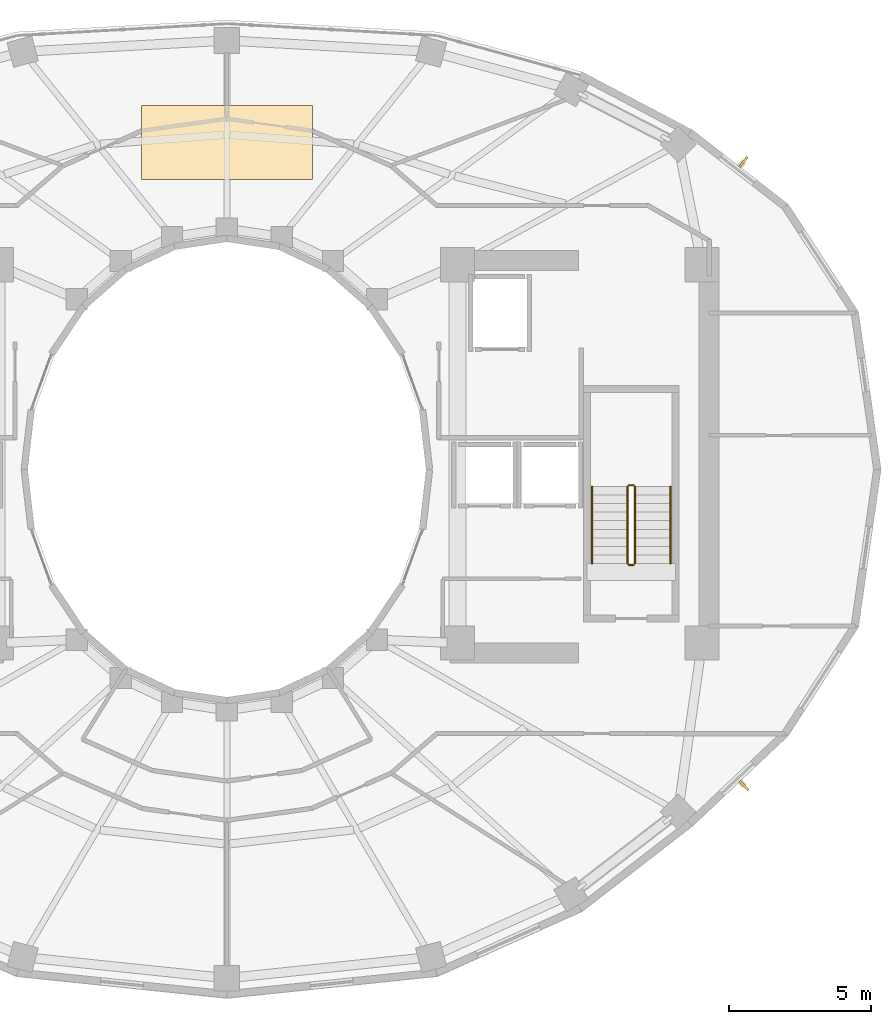
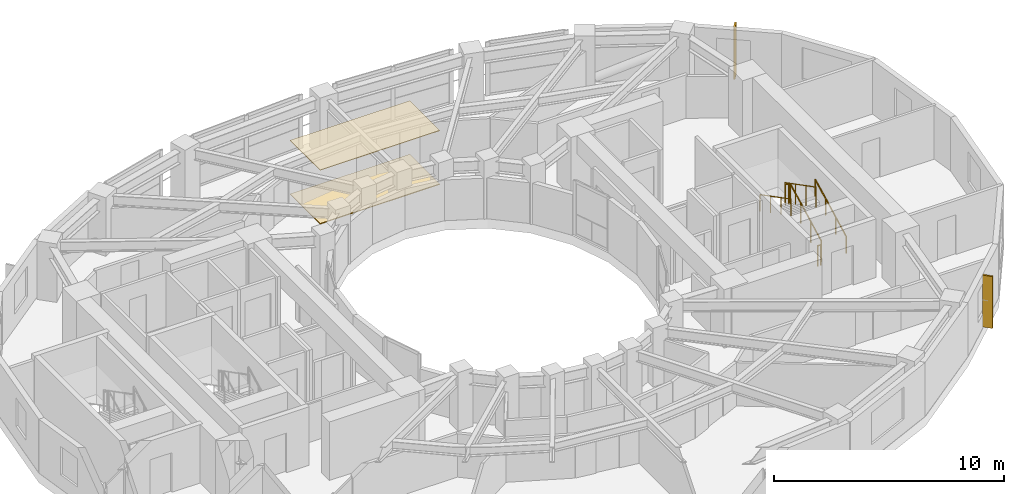
# One storey, part 19 of 20: 6 railings, 2 coverings, 2 shading devices.
"""IFC4 building model written with IfcOpenShell, lengths in metres."""

from ifc_helpers import new_model, si_unit, direction, frame, origin, origin_2d, place, context, subcontext, project, spatial, polyline, rectangle, circle, outline, extrude, material, layer, layer_set, type_object, element, save


model = new_model("IFC4")

# Units and contexts
model_context = context("Model", 3, precision=1e-05, world=origin(), true_north=direction((0.0, 1.0)))
body_context = subcontext(model_context, "Body", "Model", "MODEL_VIEW")
ifc_project = project(units=[si_unit("LENGTHUNIT", "METRE"), si_unit("AREAUNIT", "SQUARE_METRE"), si_unit("VOLUMEUNIT", "CUBIC_METRE"), si_unit("PLANEANGLEUNIT", "RADIAN"), si_unit("MASSUNIT", "GRAM", prefix="KILO")], contexts=[model_context])

# Site, building, storey
site_placement = place(None, origin())
site = spatial("IfcSite", under=ifc_project, at=site_placement, CompositionType="ELEMENT")
building_placement = place(site_placement, origin())
building = spatial("IfcBuilding", under=site, at=building_placement, Name="Solvane Sanctuary Tower", CompositionType="ELEMENT")
storey_placement = place(building_placement, frame((0.0, 0.0, 137.39990234375)))
storey = spatial("IfcBuildingStorey", under=building, at=storey_placement, Name="L41", CompositionType="ELEMENT", Elevation=137.39990234375)

# Coverings
ifc_material_1 = material(Name="Acoustic Gypsum Partition Board")
ifc_layer_1 = layer(ifc_material_1, 0.02490234375, Name="Acoustic Gypsum Partition Board")
ifc_layer_set_1 = layer_set([ifc_layer_1], Name="Acoustic Gypsum Partition Board")
covering_type_1 = type_object("IfcCoveringType", Name="Covering CLG-ACOUST", PredefinedType="CEILING", material=ifc_layer_set_1)
covering_1_placement = place(storey_placement, frame((0.0, 0.0, 2.85009765625)))
element("IfcCovering", 1, at=covering_1_placement, inside=storey, type_object=covering_type_1, Name="L41 Sky Sanctuary Acoustic Ceiling", PredefinedType="CEILING", context=body_context, shape_type="SweptSolid", body=[
    extrude(outline(polyline([(29.0, 33.199951171875), (35.0, 33.199951171875), (35.0, 35.800048828125), (29.0, 35.800048828125), (29.0, 33.199951171875)])), origin(), (0.0, 0.0, 1.0), 0.030029296875),
])
ifc_material_2 = material(Name="Ceramic Tile Finish")
ifc_layer_2 = layer(ifc_material_2, 0.030029296875, Name="Ceramic Tile Finish")
ifc_layer_set_2 = layer_set([ifc_layer_2], Name="Ceramic Tile Finish")
covering_type_2 = type_object("IfcCoveringType", Name="Covering FLR-TERRAZZO", PredefinedType="FLOORING", material=ifc_layer_set_2)
covering_2_placement = place(storey_placement, origin())
element("IfcCovering", 2, at=covering_2_placement, inside=storey, type_object=covering_type_2, Name="L41 Sky Sanctuary Terrazzo Floor", PredefinedType="FLOORING", context=body_context, shape_type="SweptSolid", body=[
    extrude(outline(polyline([(29.0, 33.199951171875), (35.0, 33.199951171875), (35.0, 35.800048828125), (29.0, 35.800048828125), (29.0, 33.199951171875)])), origin(), (0.0, 0.0, 1.0), 0.0400390625),
])

# Railings
ifc_material_3 = material(Name="Architectural Stainless Steel 316", Category="steel")
railing_type_1 = type_object("IfcRailingType", Name="Railing GR-BALC-1150", PredefinedType="BALUSTRADE", material=ifc_material_3)
railing_1_placement = place(storey_placement, frame((46.340087890625, 19.699951171875, 0.155029296875)))
element("IfcRailing", 3, at=railing_1_placement, inside=storey, type_object=railing_type_1, Name="L41 ST-2 stair guard 1", PredefinedType="BALUSTRADE", context=body_context, shape_type="SweptSolid", body=[
    extrude(circle(Radius=0.02392578125, at=origin_2d()), frame((0.0, 0.0, 1.076171875), z_axis=(0.0, 0.888419900624, 0.459031676658), x_axis=(-1.0, 0.0, 0.0)), (0.0, 0.0, 1.0), 3.0390625),
    extrude(circle(Radius=0.02099609375, at=origin_2d()), origin(), (0.0, 0.0, 1.0), 1.052001953125),
    extrude(circle(Radius=0.02099609375, at=origin_2d()), frame((0.0, 0.89990234375, 0.465087890625)), (0.0, 0.0, 1.0), 1.052001953125),
    extrude(circle(Radius=0.02099609375, at=origin_2d()), frame((0.0, 1.800048828125, 0.929931640625)), (0.0, 0.0, 1.0), 1.052001953125),
    extrude(circle(Radius=0.02099609375, at=origin_2d()), frame((0.0, 2.699951171875, 1.39501953125)), (0.0, 0.0, 1.0), 1.052001953125),
])
railing_2_placement = place(storey_placement, frame((46.2900390625, 22.449951171875, 1.550048828125)))
element("IfcRailing", 4, at=railing_2_placement, inside=storey, type_object=railing_type_1, Name="L41 ST-2 stair guard 2", PredefinedType="BALUSTRADE", context=body_context, shape_type="SweptSolid", body=[
    extrude(circle(Radius=0.02392578125, at=origin_2d()), frame((0.0, 0.0, 1.076171875), z_axis=(-1.0, 0.0, 0.0), x_axis=(0.0, -1.0, 0.0)), (0.0, 0.0, 1.0), 0.16015625),
    extrude(circle(Radius=0.02099609375, at=origin_2d()), origin(), (0.0, 0.0, 1.0), 1.052001953125),
    extrude(circle(Radius=0.02099609375, at=origin_2d()), frame((-0.16015625, 0.0, 0.0)), (0.0, 0.0, 1.0), 1.052001953125),
])
railing_3_placement = place(storey_placement, frame((46.080078125, 22.39990234375, 1.705078125)))
element("IfcRailing", 5, at=railing_3_placement, inside=storey, type_object=railing_type_1, Name="L41 ST-2 stair guard 3", PredefinedType="BALUSTRADE", context=body_context, shape_type="SweptSolid", body=[
    extrude(circle(Radius=0.02392578125, at=origin_2d()), frame((0.0, 0.0, 1.076171875), z_axis=(0.0, -0.888419900624, 0.459031676658), x_axis=(1.0, 0.0, 0.0)), (0.0, 0.0, 1.0), 3.0390625),
    extrude(circle(Radius=0.02099609375, at=origin_2d()), origin(), (0.0, 0.0, 1.0), 1.052001953125),
    extrude(circle(Radius=0.02099609375, at=origin_2d()), frame((0.0, -0.89990234375, 0.465087890625)), (0.0, 0.0, 1.0), 1.052001953125),
    extrude(circle(Radius=0.02099609375, at=origin_2d()), frame((0.0, -1.800048828125, 0.929931640625)), (0.0, 0.0, 1.0), 1.052001953125),
    extrude(circle(Radius=0.02099609375, at=origin_2d()), frame((0.0, -2.699951171875, 1.39501953125)), (0.0, 0.0, 1.0), 1.052001953125),
])
railing_4_placement = place(storey_placement, frame((46.2900390625, 19.64990234375, 0.0)))
element("IfcRailing", 6, at=railing_4_placement, inside=storey, type_object=railing_type_1, Name="L41 ST-2 stair guard 4", PredefinedType="BALUSTRADE", context=body_context, shape_type="SweptSolid", body=[
    extrude(circle(Radius=0.02392578125, at=origin_2d()), frame((0.0, 0.0, 1.076171875), z_axis=(-1.0, 0.0, 0.0), x_axis=(0.0, -1.0, 0.0)), (0.0, 0.0, 1.0), 0.16015625),
    extrude(circle(Radius=0.02099609375, at=origin_2d()), origin(), (0.0, 0.0, 1.0), 1.052001953125),
    extrude(circle(Radius=0.02099609375, at=origin_2d()), frame((-0.16015625, 0.0, 0.0)), (0.0, 0.0, 1.0), 1.052001953125),
])
railing_type_2 = type_object("IfcRailingType", Name="Railing HR-STAIR-920", PredefinedType="HANDRAIL", material=ifc_material_3)
railing_5_placement = place(storey_placement, frame((47.590087890625, 19.699951171875, 0.155029296875)))
element("IfcRailing", 7, at=railing_5_placement, inside=storey, type_object=railing_type_2, Name="L41 ST-2 stair handrail 1", PredefinedType="HANDRAIL", context=body_context, shape_type="SweptSolid", body=[
    extrude(circle(Radius=0.02392578125, at=origin_2d()), frame((0.0, 0.0, 0.8759765625), z_axis=(0.0, 0.888419900624, 0.459031676658), x_axis=(-1.0, 0.0, 0.0)), (0.0, 0.0, 1.0), 3.0390625),
    extrude(circle(Radius=0.02099609375, at=origin_2d()), origin(), (0.0, 0.0, 1.0), 0.851806640625),
    extrude(circle(Radius=0.02099609375, at=origin_2d()), frame((0.0, 0.89990234375, 0.465087890625)), (0.0, 0.0, 1.0), 0.851806640625),
    extrude(circle(Radius=0.02099609375, at=origin_2d()), frame((0.0, 1.800048828125, 0.929931640625)), (0.0, 0.0, 1.0), 0.851806640625),
    extrude(circle(Radius=0.02099609375, at=origin_2d()), frame((0.0, 2.699951171875, 1.39501953125)), (0.0, 0.0, 1.0), 0.851806640625),
])
railing_6_placement = place(storey_placement, frame((44.830078125, 22.39990234375, 1.705078125)))
element("IfcRailing", 8, at=railing_6_placement, inside=storey, type_object=railing_type_2, Name="L41 ST-2 stair handrail 2", PredefinedType="HANDRAIL", context=body_context, shape_type="SweptSolid", body=[
    extrude(circle(Radius=0.02392578125, at=origin_2d()), frame((0.0, 0.0, 0.8759765625), z_axis=(0.0, -0.888419900624, 0.459031676658), x_axis=(1.0, 0.0, 0.0)), (0.0, 0.0, 1.0), 3.0390625),
    extrude(circle(Radius=0.02099609375, at=origin_2d()), origin(), (0.0, 0.0, 1.0), 0.851806640625),
    extrude(circle(Radius=0.02099609375, at=origin_2d()), frame((0.0, -0.89990234375, 0.465087890625)), (0.0, 0.0, 1.0), 0.851806640625),
    extrude(circle(Radius=0.02099609375, at=origin_2d()), frame((0.0, -1.800048828125, 0.929931640625)), (0.0, 0.0, 1.0), 0.851806640625),
    extrude(circle(Radius=0.02099609375, at=origin_2d()), frame((0.0, -2.699951171875, 1.39501953125)), (0.0, 0.0, 1.0), 0.851806640625),
])

# Shading devices
ifc_material_4 = material(Name="Anodised Aluminium 6063-T6", Category="aluminium")
ifc_layer_3 = layer(ifc_material_4, 0.080078125, Name="Anodised Aluminium 6063-T6")
ifc_layer_set_3 = layer_set([ifc_layer_3], Name="Anodised Aluminium 6063-T6")
shading_device_type = type_object("IfcShadingDeviceType", Name="Shading SHD-FIN", PredefinedType="USERDEFINED", material=ifc_layer_set_3)
for number, where, z_axis, x_axis, name in (
    (9, (50.152587890625, 33.811279296875, 0.050048828125), (0.0, 0.0, 1.0), (-0.790165709501, 0.612893262753, 0.0), "L41 Aerodynamic Vertical Fin 02"),
    (10, (50.177490234375, 11.889892578125, 0.050048828125), (0.0, 0.0, 1.0), (0.727663823405, 0.685933932757, 0.0), "L41 Aerodynamic Vertical Fin 21"),
):
    element("IfcShadingDevice", number, at=place(storey_placement, frame(where, z_axis=z_axis, x_axis=x_axis)), inside=storey, type_object=shading_device_type, Name=name, ObjectType="FIN", PredefinedType="USERDEFINED", context=body_context, shape_type="SweptSolid", body=[
        extrude(rectangle(XDim=0.080078125, YDim=0.449951171875, at=origin_2d()), origin(), (0.0, 0.0, 1.0), 2.75),
    ])

save(model, "model.ifc")
